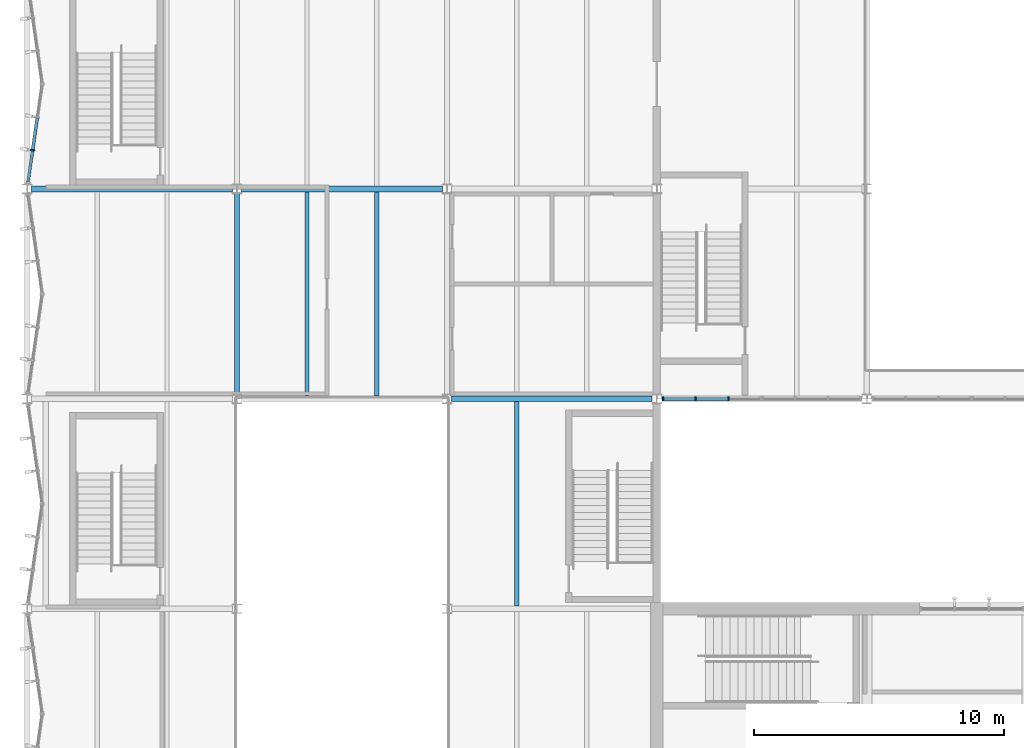
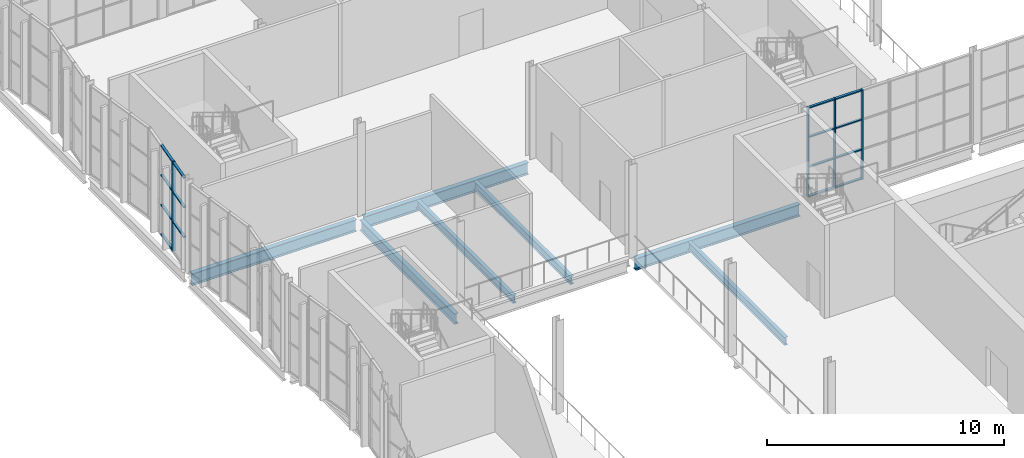
# One storey, part 36 of 127: 19 members, 7 beams, 2 elements without a shape of their own.
"""IFC4 building model written with IfcOpenShell, lengths in metres."""

import ifcopenshell
import ifcopenshell.guid

model = None  # the IFC model being written
_history = None  # IfcOwnerHistory: only IFC2X3 demands one
_inside = {}  # id of a spatial element -> (the spatial element, [elements in it])
_under = {}  # id of a project, library or spatial element -> (it, [spatial elements below it])
_declared = {}  # id of a project -> (the project, [libraries it declares])
_typed = {}  # id of a type object -> (the type object, [elements of that type])
_made_of = {}  # id of a material, layer set ... -> (it, [elements and type objects made of it])


def new_model(schema):
    """Start an empty IFC model of exactly this schema.

    Asked for "IFC4X3", IfcOpenShell would pick the latest addendum, in which some entities
    have other attributes; the version numbers below select the first issue.
    IFC2X3 requires an IfcOwnerHistory on every rooted entity: one is made here for all.
    """
    global model, _history
    if schema == "IFC4X3":
        model = ifcopenshell.file(schema_version=(4, 3, 0, 0))
    else:
        model = ifcopenshell.file(schema=schema)
    _inside.clear()
    _under.clear()
    _declared.clear()
    _typed.clear()
    _made_of.clear()
    _history = None
    if model.schema == "IFC2X3":
        org = make("IfcOrganization", Name="unknown")
        user = make(
            "IfcPersonAndOrganization",
            ThePerson=make("IfcPerson", FamilyName="unknown"),
            TheOrganization=org,
        )
        app = make(
            "IfcApplication",
            ApplicationDeveloper=org,
            Version="unknown",
            ApplicationFullName="unknown",
            ApplicationIdentifier="unknown",
        )
        _history = make(
            "IfcOwnerHistory",
            OwningUser=user,
            OwningApplication=app,
            ChangeAction="ADDED",
            CreationDate=0,
        )
    return model


def make(cls, **values):
    """One entity of the class cls with the attributes given. An attribute that is None is left unset."""
    return model.create_entity(
        cls, **{name: value for name, value in values.items() if value is not None}
    )


def rooted(cls, **values):
    """An entity with a GlobalId (a new one), such as an element, a storey or a relation."""
    return make(cls, GlobalId=ifcopenshell.guid.new(), OwnerHistory=_history, **values)


def si_unit(unit_type, name, prefix=None):
    """IfcSIUnit, for example si_unit("LENGTHUNIT", "METRE", prefix="MILLI")."""
    return make("IfcSIUnit", UnitType=unit_type, Prefix=prefix, Name=name)


def assignment(units):
    """IfcUnitAssignment: the units of a project."""
    return None if units is None else make("IfcUnitAssignment", Units=units)


def point(xyz):
    """IfcCartesianPoint."""
    return None if xyz is None else make("IfcCartesianPoint", Coordinates=xyz)


def direction(xyz):
    """IfcDirection."""
    return None if xyz is None else make("IfcDirection", DirectionRatios=xyz)


def frame(location, z_axis=None, x_axis=None):
    """IfcAxis2Placement3D, a coordinate frame: its origin and axes. An axis left out is left unset."""
    return make(
        "IfcAxis2Placement3D",
        Location=point(location),
        Axis=direction(z_axis),
        RefDirection=direction(x_axis),
    )


def frame_2d(location, x_axis=None):
    """IfcAxis2Placement2D, a coordinate frame in the plane: its origin and x axis."""
    return make(
        "IfcAxis2Placement2D", Location=point(location), RefDirection=direction(x_axis)
    )


def origin():
    """The frame at (0, 0, 0) with its axes left unset."""
    return frame((0.0, 0.0, 0.0))


def origin_2d():
    """The frame at (0, 0) in the plane with its x axis left unset."""
    return frame_2d((0.0, 0.0))


def place(relative_to, where):
    """IfcLocalPlacement: puts the frame where relative to a parent placement (None: the world)."""
    return make(
        "IfcLocalPlacement", PlacementRelTo=relative_to, RelativePlacement=where
    )


def context(
    kind, dimensions, precision=None, world=None, true_north=None, identifier=None
):
    """IfcGeometricRepresentationContext, for example the 3D "Model" context."""
    return make(
        "IfcGeometricRepresentationContext",
        ContextIdentifier=identifier,
        ContextType=kind,
        CoordinateSpaceDimension=dimensions,
        Precision=precision,
        WorldCoordinateSystem=world,
        TrueNorth=true_north,
    )


def subcontext(parent, identifier, kind, view, scale=None):
    """IfcGeometricRepresentationSubContext, for example "Body" below "Model"."""
    return make(
        "IfcGeometricRepresentationSubContext",
        ContextIdentifier=identifier,
        ContextType=kind,
        ParentContext=parent,
        TargetScale=scale,
        TargetView=view,
    )


def project(units=None, contexts=None):
    """IfcProject with its units and contexts."""
    return rooted(
        "IfcProject",
        Name="project",
        RepresentationContexts=contexts,
        UnitsInContext=assignment(units),
    )


def spatial(cls, under=None, at=None, **own):
    """A site, building, storey or space (cls), placed at a placement, below another one or the project."""
    s = rooted(cls, ObjectPlacement=at, **own)
    if under is not None:
        _under.setdefault(under.id(), (under, []))[1].append(s)
    return s


def profile(cls, at=None, kind="AREA", **sizes):
    """A parametric profile (cls). Its sizes go by their IFC names, for example OverallWidth=200.0."""
    return make(cls, ProfileType=kind, Position=at, **sizes)


def rectangle(**sizes):
    """IfcRectangleProfileDef."""
    return profile("IfcRectangleProfileDef", **sizes)


def i_section(**sizes):
    """IfcIShapeProfileDef."""
    return profile("IfcIShapeProfileDef", **sizes)


def extrude(swept, where, along, depth):
    """IfcExtrudedAreaSolid: the profile swept, set in the frame where, extruded along a direction by depth."""
    return make(
        "IfcExtrudedAreaSolid",
        SweptArea=swept,
        Position=where,
        ExtrudedDirection=direction(along),
        Depth=depth,
    )


def shape(context_of_items, identifier, shape_type, items):
    """IfcShapeRepresentation: the items that make up one representation, for example the "Body"."""
    return make(
        "IfcShapeRepresentation",
        ContextOfItems=context_of_items,
        RepresentationIdentifier=identifier,
        RepresentationType=shape_type,
        Items=items,
    )


def material(Name=None, Category=None):
    """IfcMaterial."""
    return make("IfcMaterial", Name=Name, Category=Category)


def material_profile(
    of_material, cross_section, Name=None, Category=None, Priority=None
):
    """IfcMaterialProfile: a cross section and its material."""
    return make(
        "IfcMaterialProfile",
        Name=Name,
        Material=of_material,
        Profile=cross_section,
        Priority=Priority,
        Category=Category,
    )


def profile_set(profiles, Name=None, composite=None):
    """IfcMaterialProfileSet."""
    return make(
        "IfcMaterialProfileSet",
        Name=Name,
        MaterialProfiles=profiles,
        CompositeProfile=composite,
    )


def made_of(thing, what):
    """Note that an element or type object is made of a material, layer set ...; save() writes the relation."""
    if what is not None:
        _made_of.setdefault(what.id(), (what, []))[1].append(thing)
    return thing


def type_object(cls, material=None, **own):
    """A type object (cls), such as IfcWallType, which elements share."""
    return made_of(rooted(cls, **own), material)


def element(
    cls,
    number,
    at=None,
    inside=None,
    cuts=None,
    type_object=None,
    material=None,
    context=None,
    identifier="Body",
    shape_type=None,
    held_by="IfcProductDefinitionShape",
    body=None,
    shapes=None,
    **own,
):
    """One element of the class cls, such as IfcWall. Its Tag is "e" and its number.

    at: its placement. inside: the storey or other place that contains it. cuts: it is an
    opening in that element (IfcRelVoidsElement). A single representation is given by context,
    identifier, shape_type and body (its items); several are given by shapes. held_by: the class
    of the entity that holds the representations. save() writes the other relations.
    """
    e = rooted(cls, Tag="e%d" % number, ObjectPlacement=at, **own)
    if body is not None:
        shapes = [shape(context, identifier, shape_type, body)]
    if shapes is not None:
        e.Representation = make(held_by, Representations=shapes)
    if inside is not None:
        _inside.setdefault(inside.id(), (inside, []))[1].append(e)
    if cuts is not None:
        rooted(
            "IfcRelVoidsElement", RelatingBuildingElement=cuts, RelatedOpeningElement=e
        )
    if type_object is not None:
        _typed.setdefault(type_object.id(), (type_object, []))[1].append(e)
    return made_of(e, material)


def aggregate(whole, parts):
    """IfcRelAggregates: a whole, such as a stair, and the parts it consists of."""
    return rooted("IfcRelAggregates", RelatingObject=whole, RelatedObjects=parts)


def save(model, path):
    """Write the relations noted so far, then the file.

    IfcRelAggregates (storeys below a building ...), IfcRelContainedInSpatialStructure (elements
    in a storey), IfcRelDefinesByType, IfcRelAssociatesMaterial and IfcRelDeclares: one each for
    every whole, place, type object, material and project.
    """
    for whole, parts in _under.values():
        aggregate(whole, parts)
    for where, things in _inside.values():
        rooted(
            "IfcRelContainedInSpatialStructure",
            RelatedElements=things,
            RelatingStructure=where,
        )
    for kind, things in _typed.values():
        rooted("IfcRelDefinesByType", RelatedObjects=things, RelatingType=kind)
    for what, things in _made_of.values():
        rooted("IfcRelAssociatesMaterial", RelatedObjects=things, RelatingMaterial=what)
    for by, libraries in _declared.values():
        rooted("IfcRelDeclares", RelatingContext=by, RelatedDefinitions=libraries)
    model.write(path)


model = new_model("IFC4")

# Units and contexts
model_context = context("Model", 3, precision=1e-05, world=origin(), true_north=direction((0.0, 1.0)))
body_context = subcontext(model_context, "Body", "Model", "MODEL_VIEW")
ifc_project = project(units=[si_unit("LENGTHUNIT", "METRE"), si_unit("AREAUNIT", "SQUARE_METRE"), si_unit("VOLUMEUNIT", "CUBIC_METRE"), si_unit("PLANEANGLEUNIT", "RADIAN"), si_unit("MASSUNIT", "GRAM", prefix="KILO")], contexts=[model_context])

# Site, building, storey
site_placement = place(None, origin())
site = spatial("IfcSite", under=ifc_project, at=site_placement, CompositionType="ELEMENT")
building_placement = place(site_placement, origin())
building = spatial("IfcBuilding", under=site, at=building_placement, Name="Ljudholm Concert House", CompositionType="ELEMENT")
storey_placement = place(building_placement, frame((0.0, 0.0, 5.39990234375)))
storey = spatial("IfcBuildingStorey", under=building, at=storey_placement, Name="L01", CompositionType="ELEMENT", Elevation=5.39990234375)

# Curtain wall, member
ifc_material_1 = material(Name="Aluminium curtain wall with impact-rated laminated glass", Category="aluminium")
curtain_wall_type = type_object("IfcCurtainWallType", Name="CURTAIN WALL 1400", PredefinedType="NOTDEFINED", material=ifc_material_1)
curtain_wall_1_placement = place(storey_placement, origin())
curtain_wall_1 = element("IfcCurtainWall", 1, at=curtain_wall_1_placement, inside=storey, type_object=curtain_wall_type, Name="Facade curtain wall", PredefinedType="NOTDEFINED")
ifc_material_2 = material(Name="Aluminium extrusion", Category="aluminium")
ifc_material_profile_1 = material_profile(ifc_material_2, rectangle(XDim=0.159912109375, YDim=0.06005859375, at=origin_2d()), Name="MULLION 60x160")
ifc_profile_set_1 = profile_set([ifc_material_profile_1], Name="Aluminium extrusion")
member_type_1 = type_object("IfcMemberType", Name="MULLION 60x160", PredefinedType="MULLION", material=ifc_profile_set_1)
member_1_placement = place(storey_placement, frame((4.220703125, 114.7451171875, 0.0), z_axis=(0.0, 0.0, 1.0), x_axis=(-0.989949493647, 0.141421356338, 0.0)))
member_1 = element("IfcMember", 2, at=member_1_placement, type_object=member_type_1, Name="Mullion", PredefinedType="MULLION", context=body_context, shape_type="SweptSolid", body=[
    extrude(rectangle(XDim=0.159912109375, YDim=0.06005859375, at=origin_2d()), origin(), (0.0, 0.0, 1.0), 4.6201171875),
])

# Curtain wall, members
curtain_wall_2_placement = place(storey_placement, origin())
curtain_wall_2 = element("IfcCurtainWall", 3, at=curtain_wall_2_placement, inside=storey, type_object=curtain_wall_type, Name="Winter garden curtain wall", PredefinedType="NOTDEFINED")
member_2_placement = place(storey_placement, frame((29.449951171875, 104.800048828125, 0.0), z_axis=(0.0, 0.0, 1.0), x_axis=(0.0, 1.0, 0.0)))
member_2 = element("IfcMember", 4, at=member_2_placement, type_object=member_type_1, Name="Mullion", PredefinedType="MULLION", context=body_context, shape_type="SweptSolid", body=[
    extrude(rectangle(XDim=0.159912109375, YDim=0.06005859375, at=origin_2d()), origin(), (0.0, 0.0, 1.0), 4.6201171875),
])
member_3_placement = place(storey_placement, frame((30.74658203125, 104.800048828125, 0.0), z_axis=(0.0, 0.0, 1.0), x_axis=(0.0, 1.0, 0.0)))
member_3 = element("IfcMember", 5, at=member_3_placement, type_object=member_type_1, Name="Mullion", PredefinedType="MULLION", context=body_context, shape_type="SweptSolid", body=[
    extrude(rectangle(XDim=0.159912109375, YDim=0.06005859375, at=origin_2d()), origin(), (0.0, 0.0, 1.0), 4.6201171875),
])
member_4_placement = place(storey_placement, frame((32.0732421875, 104.800048828125, 0.0), z_axis=(0.0, 0.0, 1.0), x_axis=(0.0, 1.0, 0.0)))
member_4 = element("IfcMember", 6, at=member_4_placement, type_object=member_type_1, Name="Mullion", PredefinedType="MULLION", context=body_context, shape_type="SweptSolid", body=[
    extrude(rectangle(XDim=0.159912109375, YDim=0.06005859375, at=origin_2d()), origin(), (0.0, 0.0, 1.0), 4.6201171875),
])

# Beams
ifc_material_3 = material(Name="Steel ASTM A992", Category="steel")
ifc_material_profile_2 = material_profile(ifc_material_3, i_section(OverallWidth=0.177734375, OverallDepth=0.406494140625, WebThickness=0.0078125, FlangeThickness=0.012939453125, FilletRadius=0.01025390625, at=origin_2d()), Name="W16X40")
ifc_profile_set_2 = profile_set([ifc_material_profile_2], Name="Steel ASTM A992")
beam_type_1 = type_object("IfcBeamType", Name="STEEL BEAM W16X40", PredefinedType="BEAM", material=ifc_profile_set_2)
for number, where, z_axis, x_axis, name in (
    (7, (15.199951171875, 104.91455078125, -0.383056640625), (0.0, 1.0, 0.0), (-1.0, 0.0, 0.0), "Secondary beam"),
    (8, (18.0, 104.91455078125, -0.383056640625), (0.0, 1.0, 0.0), (-1.0, 0.0, 0.0), "Secondary beam"),
    (9, (23.60009765625, 96.5146484375, -0.383056640625), (0.0, 1.0, 0.0), (-1.0, 0.0, 0.0), "Secondary beam"),
):
    element("IfcBeam", number, at=place(storey_placement, frame(where, z_axis=z_axis, x_axis=x_axis)), inside=storey, type_object=beam_type_1, Name=name, PredefinedType="BEAM", context=body_context, shape_type="SweptSolid", body=[
        extrude(i_section(OverallWidth=0.177734375, OverallDepth=0.406494140625, WebThickness=0.0078125, FlangeThickness=0.012939453125, FilletRadius=0.01025390625, at=origin_2d()), origin(), (0.0, 0.0, 1.0), 8.1708984375),
    ])
ifc_material_4 = material(Name="Steel ASTM A992", Category="steel")
ifc_material_profile_3 = material_profile(ifc_material_4, i_section(OverallWidth=0.209228515625, OverallDepth=0.533447265625, WebThickness=0.01025390625, FlangeThickness=0.015625, FilletRadius=0.012939453125, at=origin_2d()), Name="W21X62")
ifc_profile_set_3 = profile_set([ifc_material_profile_3], Name="Steel ASTM A992")
beam_type_2 = type_object("IfcBeamType", Name="STEEL BEAM W21X62", PredefinedType="BEAM", material=ifc_profile_set_3)
beam_1_placement = place(storey_placement, frame((12.39990234375, 104.986572265625, -0.446533203125), z_axis=(0.0, 1.0, 0.0), x_axis=(-1.0, 0.0, 0.0)))
element("IfcBeam", 10, at=beam_1_placement, inside=storey, type_object=beam_type_2, Name="Floor edge beam", PredefinedType="BEAM", context=body_context, shape_type="SweptSolid", body=[
    extrude(i_section(OverallWidth=0.209228515625, OverallDepth=0.533447265625, WebThickness=0.01025390625, FlangeThickness=0.015625, FilletRadius=0.012939453125, at=origin_2d()), origin(), (0.0, 0.0, 1.0), 8.02685546875),
])
ifc_material_5 = material(Name="Steel ASTM A992", Category="steel")
ifc_material_profile_4 = material_profile(ifc_material_5, i_section(OverallWidth=0.22900390625, OverallDepth=0.612060546875, WebThickness=0.011962890625, FlangeThickness=0.01953125, FilletRadius=0.0126953125, at=origin_2d()), Name="W24X84")
ifc_profile_set_4 = profile_set([ifc_material_profile_4], Name="Steel ASTM A992")
beam_type_3 = type_object("IfcBeamType", Name="STEEL BEAM W24X84", PredefinedType="BEAM", material=ifc_profile_set_4)
beam_2_placement = place(storey_placement, frame((20.986572265625, 104.800048828125, -0.486083984375), z_axis=(1.0, 0.0, 0.0), x_axis=(0.0, 1.0, 0.0)))
element("IfcBeam", 11, at=beam_2_placement, inside=storey, type_object=beam_type_3, Name="Floor girder", PredefinedType="BEAM", context=body_context, shape_type="SweptSolid", body=[
    extrude(i_section(OverallWidth=0.22900390625, OverallDepth=0.612060546875, WebThickness=0.011962890625, FlangeThickness=0.01953125, FilletRadius=0.0126953125, at=origin_2d()), origin(), (0.0, 0.0, 1.0), 8.02685546875),
])
for number, where, z_axis, x_axis, name in (
    (12, (4.186767578125, 113.199951171875, -0.486083984375), (1.0, 0.0, 0.0), (0.0, 1.0, 0.0), "Floor girder"),
    (13, (12.586669921875, 113.199951171875, -0.486083984375), (1.0, 0.0, 0.0), (0.0, 1.0, 0.0), "Floor girder"),
):
    element("IfcBeam", number, at=place(storey_placement, frame(where, z_axis=z_axis, x_axis=x_axis)), inside=storey, type_object=beam_type_3, Name=name, PredefinedType="BEAM", context=body_context, shape_type="SweptSolid", body=[
        extrude(i_section(OverallWidth=0.22900390625, OverallDepth=0.612060546875, WebThickness=0.011962890625, FlangeThickness=0.01953125, FilletRadius=0.0126953125, at=origin_2d()), origin(), (0.0, 0.0, 1.0), 8.026611328125),
    ])

# Member
ifc_material_6 = material(Name="Aluminium extrusion", Category="aluminium")
ifc_material_profile_5 = material_profile(ifc_material_6, rectangle(XDim=0.1201171875, YDim=0.06005859375, at=origin_2d()), Name="TRANSOM 60x120")
ifc_profile_set_5 = profile_set([ifc_material_profile_5], Name="Aluminium extrusion")
member_type_2 = type_object("IfcMemberType", Name="TRANSOM 60x120", PredefinedType="USERDEFINED", material=ifc_profile_set_5)
member_5_placement = place(storey_placement, frame((4.03955078125, 113.477294921875, 1.5400390625), z_axis=(0.141503330095, 0.989937779647, 0.0), x_axis=(-0.989937779647, 0.141503330095, 0.0)))
member_5 = element("IfcMember", 14, at=member_5_placement, type_object=member_type_2, Name="Transom", ObjectType="TRANSOM", PredefinedType="USERDEFINED", context=body_context, shape_type="SweptSolid", body=[
    extrude(rectangle(XDim=0.1201171875, YDim=0.06005859375, at=origin_2d()), origin(), (0.0, 0.0, 1.0), 1.2509765625),
])

member_6_placement = place(storey_placement, frame((4.03955078125, 113.477294921875, 3.080078125), z_axis=(0.141503330095, 0.989937779647, 0.0), x_axis=(-0.989937779647, 0.141503330095, 0.0)))
member_6 = element("IfcMember", 15, at=member_6_placement, type_object=member_type_2, Name="Transom", ObjectType="TRANSOM", PredefinedType="USERDEFINED", context=body_context, shape_type="SweptSolid", body=[
    extrude(rectangle(XDim=0.1201171875, YDim=0.06005859375, at=origin_2d()), origin(), (0.0, 0.0, 1.0), 1.2509765625),
])

member_7_placement = place(storey_placement, frame((4.03955078125, 113.477294921875, 4.590087890625), z_axis=(0.141503330095, 0.989937779647, 0.0), x_axis=(-0.989937779647, 0.141503330095, 0.0)))
member_7 = element("IfcMember", 16, at=member_7_placement, type_object=member_type_2, Name="Transom", ObjectType="TRANSOM", PredefinedType="USERDEFINED", context=body_context, shape_type="SweptSolid", body=[
    extrude(rectangle(XDim=0.1201171875, YDim=0.06005859375, at=origin_2d()), origin(), (0.0, 0.0, 1.0), 1.2509765625),
])

member_8_placement = place(storey_placement, frame((4.22509765625, 114.77490234375, 0.030029296875), z_axis=(0.141421356237, 0.989949493661, 0.0), x_axis=(-0.989949493661, 0.141421356237, 0.0)))
member_8 = element("IfcMember", 17, at=member_8_placement, type_object=member_type_2, Name="Transom", ObjectType="TRANSOM", PredefinedType="USERDEFINED", context=body_context, shape_type="SweptSolid", body=[
    extrude(rectangle(XDim=0.1201171875, YDim=0.06005859375, at=origin_2d()), origin(), (0.0, 0.0, 1.0), 1.281005859375),
])

member_9_placement = place(storey_placement, frame((4.22509765625, 114.77490234375, 1.5400390625), z_axis=(0.141421356237, 0.989949493661, 0.0), x_axis=(-0.989949493661, 0.141421356237, 0.0)))
member_9 = element("IfcMember", 18, at=member_9_placement, type_object=member_type_2, Name="Transom", ObjectType="TRANSOM", PredefinedType="USERDEFINED", context=body_context, shape_type="SweptSolid", body=[
    extrude(rectangle(XDim=0.1201171875, YDim=0.06005859375, at=origin_2d()), origin(), (0.0, 0.0, 1.0), 1.281005859375),
])

member_10_placement = place(storey_placement, frame((4.22509765625, 114.77490234375, 3.080078125), z_axis=(0.141421356237, 0.989949493661, 0.0), x_axis=(-0.989949493661, 0.141421356237, 0.0)))
member_10 = element("IfcMember", 19, at=member_10_placement, type_object=member_type_2, Name="Transom", ObjectType="TRANSOM", PredefinedType="USERDEFINED", context=body_context, shape_type="SweptSolid", body=[
    extrude(rectangle(XDim=0.1201171875, YDim=0.06005859375, at=origin_2d()), origin(), (0.0, 0.0, 1.0), 1.281005859375),
])

member_11_placement = place(storey_placement, frame((4.22509765625, 114.77490234375, 4.590087890625), z_axis=(0.141421356237, 0.989949493661, 0.0), x_axis=(-0.989949493661, 0.141421356237, 0.0)))
member_11 = element("IfcMember", 20, at=member_11_placement, type_object=member_type_2, Name="Transom", ObjectType="TRANSOM", PredefinedType="USERDEFINED", context=body_context, shape_type="SweptSolid", body=[
    extrude(rectangle(XDim=0.1201171875, YDim=0.06005859375, at=origin_2d()), origin(), (0.0, 0.0, 1.0), 1.281005859375),
])

aggregate(curtain_wall_1, [member_1, member_5, member_6, member_7, member_8, member_9, member_10, member_11])

member_12_placement = place(storey_placement, frame((29.47998046875, 104.800048828125, 0.030029296875), z_axis=(1.0, 0.0, 0.0), x_axis=(0.0, 1.0, 0.0)))
member_12 = element("IfcMember", 21, at=member_12_placement, type_object=member_type_2, Name="Transom", ObjectType="TRANSOM", PredefinedType="USERDEFINED", context=body_context, shape_type="SweptSolid", body=[
    extrude(rectangle(XDim=0.1201171875, YDim=0.06005859375, at=origin_2d()), origin(), (0.0, 0.0, 1.0), 1.236572265625),
])

member_13_placement = place(storey_placement, frame((29.47998046875, 104.800048828125, 1.5400390625), z_axis=(1.0, 0.0, 0.0), x_axis=(0.0, 1.0, 0.0)))
member_13 = element("IfcMember", 22, at=member_13_placement, type_object=member_type_2, Name="Transom", ObjectType="TRANSOM", PredefinedType="USERDEFINED", context=body_context, shape_type="SweptSolid", body=[
    extrude(rectangle(XDim=0.1201171875, YDim=0.06005859375, at=origin_2d()), origin(), (0.0, 0.0, 1.0), 1.236572265625),
])

member_14_placement = place(storey_placement, frame((29.47998046875, 104.800048828125, 3.080078125), z_axis=(1.0, 0.0, 0.0), x_axis=(0.0, 1.0, 0.0)))
member_14 = element("IfcMember", 23, at=member_14_placement, type_object=member_type_2, Name="Transom", ObjectType="TRANSOM", PredefinedType="USERDEFINED", context=body_context, shape_type="SweptSolid", body=[
    extrude(rectangle(XDim=0.1201171875, YDim=0.06005859375, at=origin_2d()), origin(), (0.0, 0.0, 1.0), 1.236572265625),
])

member_15_placement = place(storey_placement, frame((29.47998046875, 104.800048828125, 4.590087890625), z_axis=(1.0, 0.0, 0.0), x_axis=(0.0, 1.0, 0.0)))
member_15 = element("IfcMember", 24, at=member_15_placement, type_object=member_type_2, Name="Transom", ObjectType="TRANSOM", PredefinedType="USERDEFINED", context=body_context, shape_type="SweptSolid", body=[
    extrude(rectangle(XDim=0.1201171875, YDim=0.06005859375, at=origin_2d()), origin(), (0.0, 0.0, 1.0), 1.236572265625),
])

member_16_placement = place(storey_placement, frame((30.776611328125, 104.800048828125, 0.030029296875), z_axis=(1.0, 0.0, 0.0), x_axis=(0.0, 1.0, 0.0)))
member_16 = element("IfcMember", 25, at=member_16_placement, type_object=member_type_2, Name="Transom", ObjectType="TRANSOM", PredefinedType="USERDEFINED", context=body_context, shape_type="SweptSolid", body=[
    extrude(rectangle(XDim=0.1201171875, YDim=0.06005859375, at=origin_2d()), origin(), (0.0, 0.0, 1.0), 1.2666015625),
])

member_17_placement = place(storey_placement, frame((30.776611328125, 104.800048828125, 1.5400390625), z_axis=(1.0, 0.0, 0.0), x_axis=(0.0, 1.0, 0.0)))
member_17 = element("IfcMember", 26, at=member_17_placement, type_object=member_type_2, Name="Transom", ObjectType="TRANSOM", PredefinedType="USERDEFINED", context=body_context, shape_type="SweptSolid", body=[
    extrude(rectangle(XDim=0.1201171875, YDim=0.06005859375, at=origin_2d()), origin(), (0.0, 0.0, 1.0), 1.2666015625),
])

member_18_placement = place(storey_placement, frame((30.776611328125, 104.800048828125, 3.080078125), z_axis=(1.0, 0.0, 0.0), x_axis=(0.0, 1.0, 0.0)))
member_18 = element("IfcMember", 27, at=member_18_placement, type_object=member_type_2, Name="Transom", ObjectType="TRANSOM", PredefinedType="USERDEFINED", context=body_context, shape_type="SweptSolid", body=[
    extrude(rectangle(XDim=0.1201171875, YDim=0.06005859375, at=origin_2d()), origin(), (0.0, 0.0, 1.0), 1.2666015625),
])

member_19_placement = place(storey_placement, frame((30.776611328125, 104.800048828125, 4.590087890625), z_axis=(1.0, 0.0, 0.0), x_axis=(0.0, 1.0, 0.0)))
member_19 = element("IfcMember", 28, at=member_19_placement, type_object=member_type_2, Name="Transom", ObjectType="TRANSOM", PredefinedType="USERDEFINED", context=body_context, shape_type="SweptSolid", body=[
    extrude(rectangle(XDim=0.1201171875, YDim=0.06005859375, at=origin_2d()), origin(), (0.0, 0.0, 1.0), 1.2666015625),
])

aggregate(curtain_wall_2, [member_2, member_3, member_4, member_12, member_13, member_14, member_15, member_16, member_17, member_18, member_19])

save(model, "model.ifc")
